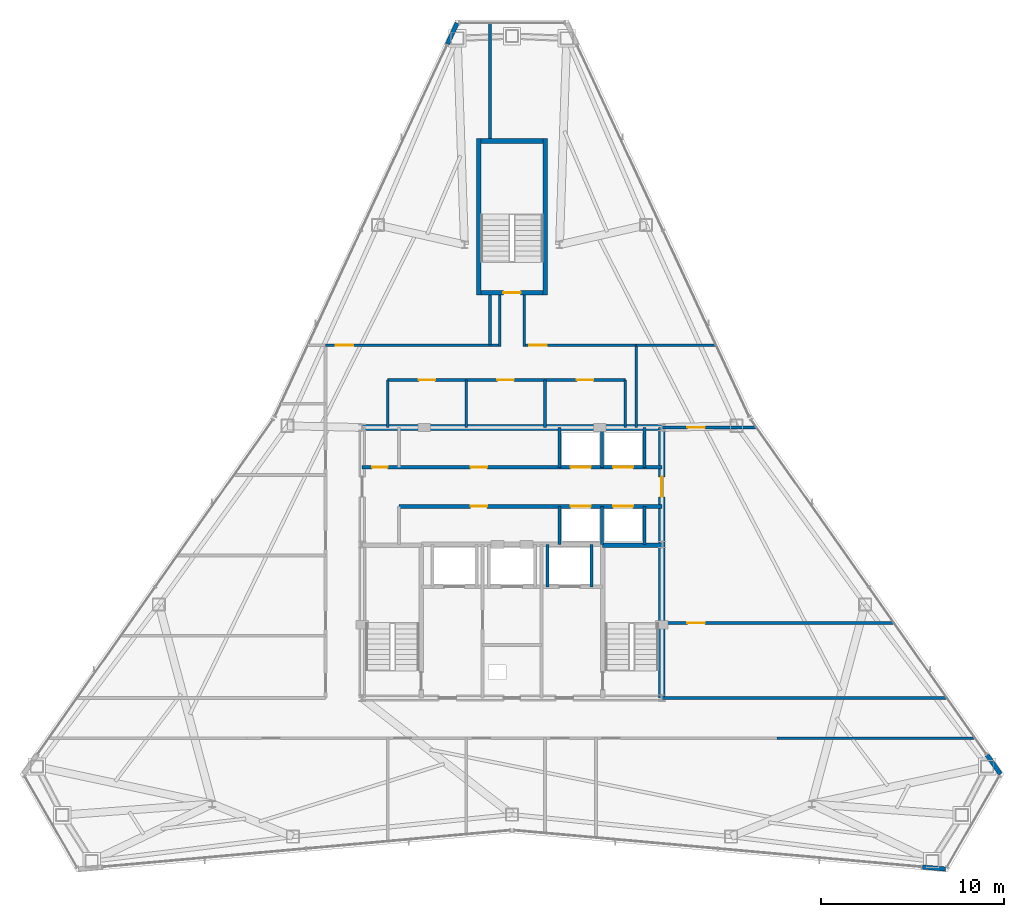
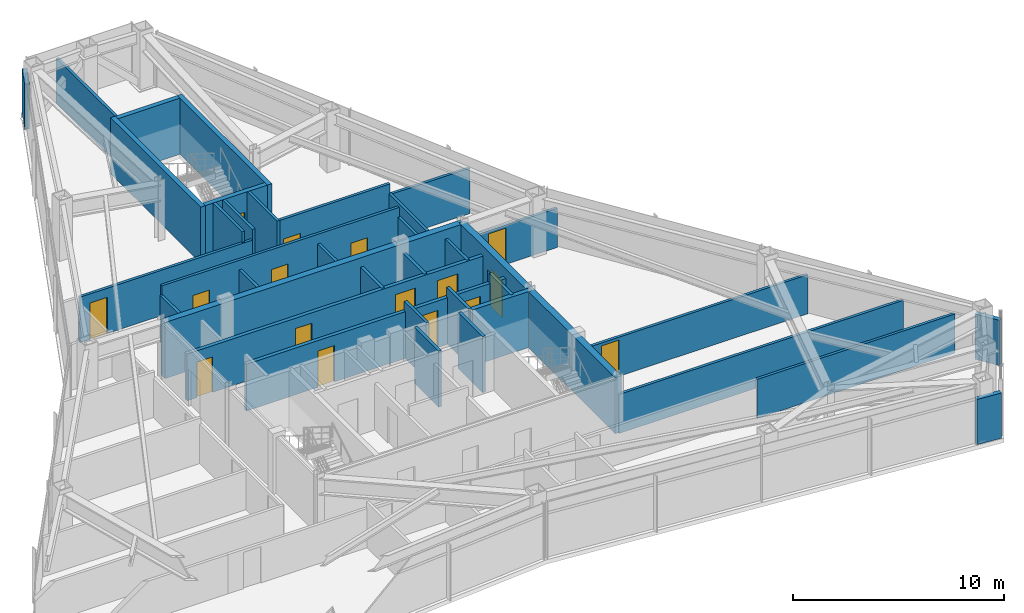
# One storey, part 10 of 12: 37 walls, 16 doors, 16 openings.
"""IFC4 building model written with IfcOpenShell, lengths in metres."""

from ifc_helpers import new_model, si_unit, direction, frame, frame_2d, origin, place, context, subcontext, project, spatial, rectangle, extrude, material, layer, layer_set, type_object, element, fill, save


model = new_model("IFC4")

# Units and contexts
model_context = context("Model", 3, precision=1e-05, world=origin(), true_north=direction((0.0, 1.0)))
body_context = subcontext(model_context, "Body", "Model", "MODEL_VIEW")
ifc_project = project(units=[si_unit("LENGTHUNIT", "METRE"), si_unit("AREAUNIT", "SQUARE_METRE"), si_unit("VOLUMEUNIT", "CUBIC_METRE"), si_unit("PLANEANGLEUNIT", "RADIAN"), si_unit("MASSUNIT", "GRAM", prefix="KILO")], contexts=[model_context])

# Site, building, storey
site_placement = place(None, origin())
site = spatial("IfcSite", under=ifc_project, at=site_placement, CompositionType="ELEMENT")
building_placement = place(site_placement, origin())
building = spatial("IfcBuilding", under=site, at=building_placement, Name="Varakhsha Concourse Tower", CompositionType="ELEMENT")
storey_placement = place(building_placement, frame((0.0, 0.0, 239.89990234375)))
storey = spatial("IfcBuildingStorey", under=building, at=storey_placement, Name="L68", CompositionType="ELEMENT", Elevation=239.89990234375)

# Wall
ifc_material_1 = material(Name="Concrete fc 65 MPa", Category="concrete")
ifc_layer_1 = layer(ifc_material_1, 0.35009765625, Name="WL-CORE-350")
ifc_layer_set_1 = layer_set([ifc_layer_1], Name="Concrete fc 65 MPa")
wall_type_1 = type_object("IfcWallType", Name="WL-CORE-350", PredefinedType="SHEAR", material=ifc_layer_set_1)
wall_1_placement = place(storey_placement, frame((31.800048828125, 31.199951171875, 0.0), z_axis=(0.0, 0.0, 1.0), x_axis=(1.0, 0.0, 0.0)))
element("IfcWall", 1, at=wall_1_placement, inside=storey, type_object=wall_type_1, Name="L68 Wall CWALL-N-L68", PredefinedType="SHEAR", context=body_context, shape_type="SweptSolid", body=[
    extrude(rectangle(XDim=16.39990234375, YDim=0.35009765625, at=frame_2d((8.199951171875, 0.0))), origin(), (0.0, 0.0, 1.0), 3.25),
])

# Wall, opening, door
wall_2_placement = place(storey_placement, frame((48.199951171875, 16.39990234375, 0.0), z_axis=(0.0, 0.0, 1.0), x_axis=(0.0, 1.0, 0.0)))
wall_2 = element("IfcWall", 2, at=wall_2_placement, inside=storey, type_object=wall_type_1, Name="L68 Wall CWALL-E-L68", PredefinedType="SHEAR", context=body_context, shape_type="SweptSolid", body=[
    extrude(rectangle(XDim=14.800048828125, YDim=0.35009765625, at=frame_2d((7.39990234375, 0.0))), origin(), (0.0, 0.0, 1.0), 3.25),
])
opening_1_placement = place(wall_2_placement, frame((11.0, 0.0, 0.0)))
opening_1 = element("IfcOpeningElement", 3, at=opening_1_placement, cuts=wall_2, Name="Opening DL-01", PredefinedType="OPENING", context=body_context, shape_type="SweptSolid", body=[
    extrude(rectangle(XDim=1.10009765625, YDim=2.14990234375, at=frame_2d((0.550048828125, 1.074951171875))), frame((0.0, 0.18505859375, 0.0), z_axis=(0.0, -1.0, 0.0), x_axis=(1.0, 0.0, 0.0)), (0.0, 0.0, 1.0), 0.3701171875),
])
ifc_material_2 = material(Name="Anodised Bronze Architectural Aluminium AA 6063-T6", Category="aluminium")
door_type_1 = type_object("IfcDoorType", Name="DR-LOB-1100", OperationType="NOTDEFINED", PredefinedType="DOOR", material=ifc_material_2)
door_1_placement = place(opening_1_placement, origin())
door_1 = element("IfcDoor", 4, at=door_1_placement, inside=storey, type_object=door_type_1, Name="L68 Lift Lobby East Concourse Door", OperationType="SINGLE_SWING_RIGHT", OverallHeight=2.14990234375, OverallWidth=1.10009765625, PredefinedType="DOOR", context=body_context, shape_type="SweptSolid", body=[
    extrude(rectangle(XDim=1.10009765625, YDim=2.14990234375, at=frame_2d((0.550048828125, 1.074951171875))), frame((0.0, 0.02490234375, 0.0), z_axis=(0.0, -1.0, 0.0), x_axis=(1.0, 0.0, 0.0)), (0.0, 0.0, 1.0), 0.050048828125),
])
fill(opening_1, door_1)

# Walls
ifc_material_3 = material(Name="Concrete fc 45 MPa", Category="concrete")
ifc_layer_2 = layer(ifc_material_3, 0.239990234375, Name="WL-EXT-CRN-240")
ifc_layer_set_2 = layer_set([ifc_layer_2], Name="Concrete fc 45 MPa")
wall_type_2 = type_object("IfcWallType", Name="WL-EXT-CRN-240", PredefinedType="SHEAR", material=ifc_layer_set_2)
wall_3_placement = place(storey_placement, frame((36.999267578125, 53.3310546875, 0.0), z_axis=(0.0, 0.0, 1.0), x_axis=(-0.420510858271, -0.907287505742, 0.0)))
element("IfcWall", 5, at=wall_3_placement, inside=storey, type_object=wall_type_2, Name="L68 Wind-Corner Shoulder Wall F2", PredefinedType="SHEAR", context=body_context, shape_type="SweptSolid", body=[
    extrude(rectangle(XDim=1.2783203125, YDim=0.239990234375, at=frame_2d((0.63916015625, 0.0))), origin(), (0.0, 0.0, 1.0), 2.623046875),
])
for number, where, z_axis, x_axis, name in (
    (6, (62.45458984375, 7.14990234375, 0.0), (0.0, 0.0, 1.0), (0.995998949865, -0.089364936453, 0.0), "L68 Wind-Corner Shoulder Wall F6"),
    (7, (66.728515625, 12.233154296875, 0.0), (0.0, 0.0, 1.0), (-0.575370412724, 0.817892956421, 0.0), "L68 Wind-Corner Shoulder Wall F8"),
):
    element("IfcWall", number, at=place(storey_placement, frame(where, z_axis=z_axis, x_axis=x_axis)), inside=storey, type_object=wall_type_2, Name=name, PredefinedType="SHEAR", context=body_context, shape_type="SweptSolid", body=[
        extrude(rectangle(XDim=1.278564453125, YDim=0.239990234375, at=frame_2d((0.63916015625, 0.0))), origin(), (0.0, 0.0, 1.0), 2.623046875),
    ])

# Wall, openings, doors
ifc_material_4 = material(Name="Fire-Rated Type X Gypsum Partition Assembly", Category="gypsum")
ifc_layer_3 = layer(ifc_material_4, 0.14990234375, Name="WL-PART-150")
ifc_layer_set_3 = layer_set([ifc_layer_3], Name="Fire-Rated Type X Gypsum Partition Assembly")
wall_type_3 = type_object("IfcWallType", Name="WL-PART-150", PredefinedType="PARTITIONING", material=ifc_layer_set_3)
wall_4_placement = place(storey_placement, frame((33.199951171875, 33.800048828125, 0.0), z_axis=(0.0, 0.0, 1.0), x_axis=(1.0, 0.0, 0.0)))
wall_4 = element("IfcWall", 8, at=wall_4_placement, inside=storey, type_object=wall_type_3, Name="L68 Wall NBOH-N-L68", PredefinedType="PARTITIONING", context=body_context, shape_type="SweptSolid", body=[
    extrude(rectangle(XDim=13.0, YDim=0.14990234375, at=frame_2d((6.5, 0.0))), origin(), (0.0, 0.0, 1.0), 3.25),
])
opening_2_placement = place(wall_4_placement, frame((1.699951171875, 0.0, 0.0)))
opening_2 = element("IfcOpeningElement", 9, at=opening_2_placement, cuts=wall_4, Name="Opening DF-06", PredefinedType="OPENING", context=body_context, shape_type="SweptSolid", body=[
    extrude(rectangle(XDim=0.89990234375, YDim=2.10009765625, at=frame_2d((0.449951171875, 1.050048828125))), frame((0.0, 0.0849609375, 0.0), z_axis=(0.0, -1.0, 0.0), x_axis=(1.0, 0.0, 0.0)), (0.0, 0.0, 1.0), 0.169921875),
])
opening_3_placement = place(wall_4_placement, frame((6.0, 0.0, 0.0)))
opening_3 = element("IfcOpeningElement", 10, at=opening_3_placement, cuts=wall_4, Name="Opening DF-06", PredefinedType="OPENING", context=body_context, shape_type="SweptSolid", body=[
    extrude(rectangle(XDim=0.89990234375, YDim=2.10009765625, at=frame_2d((0.449951171875, 1.050048828125))), frame((0.0, 0.0849609375, 0.0), z_axis=(0.0, -1.0, 0.0), x_axis=(1.0, 0.0, 0.0)), (0.0, 0.0, 1.0), 0.169921875),
])
opening_4_placement = place(wall_4_placement, frame((10.35009765625, 0.0, 0.0)))
opening_4 = element("IfcOpeningElement", 11, at=opening_4_placement, cuts=wall_4, Name="Opening DF-06", PredefinedType="OPENING", context=body_context, shape_type="SweptSolid", body=[
    extrude(rectangle(XDim=0.89990234375, YDim=2.10009765625, at=frame_2d((0.449951171875, 1.050048828125))), frame((0.0, 0.0849609375, 0.0), z_axis=(0.0, -1.0, 0.0), x_axis=(1.0, 0.0, 0.0)), (0.0, 0.0, 1.0), 0.169921875),
])
ifc_material_5 = material(Name="Hollow Galvanised Steel Fire Door Assembly", Category="steel")
door_type_2 = type_object("IfcDoorType", Name="DR-FD60-900", OperationType="NOTDEFINED", PredefinedType="DOOR", material=ifc_material_5)
door_2_placement = place(opening_2_placement, origin())
door_2 = element("IfcDoor", 12, at=door_2_placement, inside=storey, type_object=door_type_2, Name="L68 Men Restroom WC Door", OperationType="SINGLE_SWING_LEFT", OverallHeight=2.10009765625, OverallWidth=0.89990234375, PredefinedType="DOOR", context=body_context, shape_type="SweptSolid", body=[
    extrude(rectangle(XDim=0.89990234375, YDim=2.10009765625, at=frame_2d((0.449951171875, 1.050048828125))), frame((0.0, 0.02490234375, 0.0), z_axis=(0.0, -1.0, 0.0), x_axis=(1.0, 0.0, 0.0)), (0.0, 0.0, 1.0), 0.050048828125),
])
fill(opening_2, door_2)
door_3_placement = place(opening_3_placement, origin())
door_3 = element("IfcDoor", 13, at=door_3_placement, inside=storey, type_object=door_type_2, Name="L68 Women Restroom WC Door", OperationType="SINGLE_SWING_RIGHT", OverallHeight=2.10009765625, OverallWidth=0.89990234375, PredefinedType="DOOR", context=body_context, shape_type="SweptSolid", body=[
    extrude(rectangle(XDim=0.89990234375, YDim=2.10009765625, at=frame_2d((0.449951171875, 1.050048828125))), frame((0.0, 0.02490234375, 0.0), z_axis=(0.0, -1.0, 0.0), x_axis=(1.0, 0.0, 0.0)), (0.0, 0.0, 1.0), 0.050048828125),
])
fill(opening_3, door_3)
door_4_placement = place(opening_4_placement, origin())
door_4 = element("IfcDoor", 14, at=door_4_placement, inside=storey, type_object=door_type_2, Name="L68 Accessible WC Door", OperationType="SINGLE_SWING_LEFT", OverallHeight=2.10009765625, OverallWidth=0.89990234375, PredefinedType="DOOR", context=body_context, shape_type="SweptSolid", body=[
    extrude(rectangle(XDim=0.89990234375, YDim=2.10009765625, at=frame_2d((0.449951171875, 1.050048828125))), frame((0.0, 0.02490234375, 0.0), z_axis=(0.0, -1.0, 0.0), x_axis=(1.0, 0.0, 0.0)), (0.0, 0.0, 1.0), 0.050048828125),
])
fill(opening_4, door_4)

# Walls
for number, where, z_axis, x_axis, name in (
    (15, (33.199951171875, 31.199951171875, 0.0), (0.0, 0.0, 1.0), (0.0, 1.0, 0.0), "L68 Wall NBOH-W-L68"),
    (16, (46.199951171875, 31.199951171875, 0.0), (0.0, 0.0, 1.0), (0.0, 1.0, 0.0), "L68 Wall NBOH-E-L68"),
    (17, (37.5, 31.199951171875, 0.0), (0.0, 0.0, 1.0), (0.0, 1.0, 0.0), "L68 Wall NBOH-D1-L68"),
    (18, (41.800048828125, 31.199951171875, 0.0), (0.0, 0.0, 1.0), (0.0, 1.0, 0.0), "L68 Wall NBOH-D2-L68"),
):
    element("IfcWall", number, at=place(storey_placement, frame(where, z_axis=z_axis, x_axis=x_axis)), inside=storey, type_object=wall_type_3, Name=name, PredefinedType="PARTITIONING", context=body_context, shape_type="SweptSolid", body=[
        extrude(rectangle(XDim=2.60009765625, YDim=0.14990234375, at=frame_2d((1.300048828125, 0.0))), origin(), (0.0, 0.0, 1.0), 2.705078125),
    ])
wall_5_placement = place(storey_placement, frame((54.5, 14.199951171875, 0.0), z_axis=(0.0, 0.0, 1.0), x_axis=(1.0, 0.0, 0.0)))
element("IfcWall", 19, at=wall_5_placement, inside=storey, type_object=wall_type_3, Name="L68 Wall CRW-SGAL-SE-L68", PredefinedType="PARTITIONING", context=body_context, shape_type="SweptSolid", body=[
    extrude(rectangle(XDim=10.838623046875, YDim=0.14990234375, at=frame_2d((5.41943359375, 0.0))), origin(), (0.0, 0.0, 1.0), 2.26513671875),
])
wall_6_placement = place(storey_placement, frame((48.199951171875, 16.39990234375, 0.0), z_axis=(0.0, 0.0, 1.0), x_axis=(1.0, 0.0, 0.0)))
element("IfcWall", 20, at=wall_6_placement, inside=storey, type_object=wall_type_3, Name="L68 Wall CRW-SGAL-NE-L68", PredefinedType="PARTITIONING", context=body_context, shape_type="SweptSolid", body=[
    extrude(rectangle(XDim=15.590576171875, YDim=0.14990234375, at=frame_2d((7.79541015625, 0.0))), origin(), (0.0, 0.0, 1.0), 2.26513671875),
])

# Wall, opening, door
wall_7_placement = place(storey_placement, frame((29.800048828125, 35.699951171875, 0.0), z_axis=(0.0, 0.0, 1.0), x_axis=(1.0, 0.0, 0.0)))
wall_7 = element("IfcWall", 21, at=wall_7_placement, inside=storey, type_object=wall_type_3, Name="L68 Wall CRW-N-L68", PredefinedType="PARTITIONING", context=body_context, shape_type="SweptSolid", body=[
    extrude(rectangle(XDim=9.449951171875, YDim=0.14990234375, at=frame_2d((4.72509765625, 0.0))), origin(), (0.0, 0.0, 1.0), 2.628173828125),
])
opening_5_placement = place(wall_7_placement, frame((0.550048828125, 0.0, 0.0)))
opening_5 = element("IfcOpeningElement", 22, at=opening_5_placement, cuts=wall_7, Name="Opening DF-05", PredefinedType="OPENING", context=body_context, shape_type="SweptSolid", body=[
    extrude(rectangle(XDim=0.949951171875, YDim=2.10009765625, at=frame_2d((0.47509765625, 1.050048828125))), frame((0.0, 0.0849609375, 0.0), z_axis=(0.0, -1.0, 0.0), x_axis=(1.0, 0.0, 0.0)), (0.0, 0.0, 1.0), 0.169921875),
])
door_type_3 = type_object("IfcDoorType", Name="DR-FD60-950", OperationType="NOTDEFINED", PredefinedType="DOOR", material=ifc_material_5)
door_5_placement = place(opening_5_placement, origin())
door_5 = element("IfcDoor", 23, at=door_5_placement, inside=storey, type_object=door_type_3, Name="L68 Mountain View Deposition Conference Room L68-N1 Door", OperationType="SINGLE_SWING_LEFT", OverallHeight=2.10009765625, OverallWidth=0.949951171875, PredefinedType="DOOR", context=body_context, shape_type="SweptSolid", body=[
    extrude(rectangle(XDim=0.949951171875, YDim=2.10009765625, at=frame_2d((0.47509765625, 1.050048828125))), frame((0.0, 0.02490234375, 0.0), z_axis=(0.0, -1.0, 0.0), x_axis=(1.0, 0.0, 0.0)), (0.0, 0.0, 1.0), 0.050048828125),
])
fill(opening_5, door_5)

wall_8_placement = place(storey_placement, frame((40.75, 35.699951171875, 0.0), z_axis=(0.0, 0.0, 1.0), x_axis=(1.0, 0.0, 0.0)))
wall_8 = element("IfcWall", 24, at=wall_8_placement, inside=storey, type_object=wall_type_3, Name="L68 Wall CRW-N-L68-B", PredefinedType="PARTITIONING", context=body_context, shape_type="SweptSolid", body=[
    extrude(rectangle(XDim=6.050048828125, YDim=0.14990234375, at=frame_2d((3.02490234375, 0.0))), origin(), (0.0, 0.0, 1.0), 3.25),
])
opening_6_placement = place(wall_8_placement, frame((0.199951171875, 0.0, 0.0)))
opening_6 = element("IfcOpeningElement", 25, at=opening_6_placement, cuts=wall_8, Name="Opening DF-05", PredefinedType="OPENING", context=body_context, shape_type="SweptSolid", body=[
    extrude(rectangle(XDim=0.949951171875, YDim=2.10009765625, at=frame_2d((0.47509765625, 1.050048828125))), frame((0.0, 0.0849609375, 0.0), z_axis=(0.0, -1.0, 0.0), x_axis=(1.0, 0.0, 0.0)), (0.0, 0.0, 1.0), 0.169921875),
])
door_6_placement = place(opening_6_placement, origin())
door_6 = element("IfcDoor", 26, at=door_6_placement, inside=storey, type_object=door_type_3, Name="L68 North Senior Partner Chamber L68-N2 Door", OperationType="SINGLE_SWING_RIGHT", OverallHeight=2.10009765625, OverallWidth=0.949951171875, PredefinedType="DOOR", context=body_context, shape_type="SweptSolid", body=[
    extrude(rectangle(XDim=0.949951171875, YDim=2.10009765625, at=frame_2d((0.47509765625, 1.050048828125))), frame((0.0, 0.02490234375, 0.0), z_axis=(0.0, -1.0, 0.0), x_axis=(1.0, 0.0, 0.0)), (0.0, 0.0, 1.0), 0.050048828125),
])
fill(opening_6, door_6)

# Walls
wall_9_placement = place(storey_placement, frame((46.800048828125, 31.199951171875, 0.0), z_axis=(0.0, 0.0, 1.0), x_axis=(0.0, 1.0, 0.0)))
element("IfcWall", 27, at=wall_9_placement, inside=storey, type_object=wall_type_3, Name="L68 Wall CRW-NE-L68", PredefinedType="PARTITIONING", context=body_context, shape_type="SweptSolid", body=[
    extrude(rectangle(XDim=4.5, YDim=0.14990234375, at=frame_2d((2.25, 0.0))), origin(), (0.0, 0.0, 1.0), 2.705078125),
])
wall_10_placement = place(storey_placement, frame((46.800048828125, 35.699951171875, 0.0), z_axis=(0.0, 0.0, 1.0), x_axis=(1.0, 0.0, 0.0)))
element("IfcWall", 28, at=wall_10_placement, inside=storey, type_object=wall_type_3, Name="L68 Wall ODIV-EBN-L68", PredefinedType="PARTITIONING", context=body_context, shape_type="SweptSolid", body=[
    extrude(rectangle(XDim=4.36767578125, YDim=0.14990234375, at=frame_2d((2.183837890625, 0.0))), origin(), (0.0, 0.0, 1.0), 2.628173828125),
])

# Wall, opening, door
wall_11_placement = place(storey_placement, frame((48.199951171875, 20.5, 0.0), z_axis=(0.0, 0.0, 1.0), x_axis=(1.0, 0.0, 0.0)))
wall_11 = element("IfcWall", 29, at=wall_11_placement, inside=storey, type_object=wall_type_3, Name="L68 Wall ODIV-E1-L68", PredefinedType="PARTITIONING", context=body_context, shape_type="SweptSolid", body=[
    extrude(rectangle(XDim=12.705810546875, YDim=0.14990234375, at=frame_2d((6.35302734375, 0.0))), origin(), (0.0, 0.0, 1.0), 2.26513671875),
])
opening_7_placement = place(wall_11_placement, frame((1.39990234375, 0.0, 0.0)))
opening_7 = element("IfcOpeningElement", 30, at=opening_7_placement, cuts=wall_11, Name="Opening DF-05", PredefinedType="OPENING", context=body_context, shape_type="SweptSolid", body=[
    extrude(rectangle(XDim=0.949951171875, YDim=2.10009765625, at=frame_2d((0.47509765625, 1.050048828125))), frame((0.0, 0.0849609375, 0.0), z_axis=(0.0, -1.0, 0.0), x_axis=(1.0, 0.0, 0.0)), (0.0, 0.0, 1.0), 0.169921875),
])
door_7_placement = place(opening_7_placement, origin())
door_7 = element("IfcDoor", 31, at=door_7_placement, inside=storey, type_object=door_type_3, Name="L68 East Suite Interconnect Door 1", OperationType="SINGLE_SWING_LEFT", OverallHeight=2.10009765625, OverallWidth=0.949951171875, PredefinedType="DOOR", context=body_context, shape_type="SweptSolid", body=[
    extrude(rectangle(XDim=0.949951171875, YDim=2.10009765625, at=frame_2d((0.47509765625, 1.050048828125))), frame((0.0, 0.02490234375, 0.0), z_axis=(0.0, -1.0, 0.0), x_axis=(1.0, 0.0, 0.0)), (0.0, 0.0, 1.0), 0.050048828125),
])
fill(opening_7, door_7)

wall_12_placement = place(storey_placement, frame((48.199951171875, 31.199951171875, 0.0), z_axis=(0.0, 0.0, 1.0), x_axis=(1.0, 0.0, 0.0)))
wall_12 = element("IfcWall", 32, at=wall_12_placement, inside=storey, type_object=wall_type_3, Name="L68 Wall ODIV-E2-L68", PredefinedType="PARTITIONING", context=body_context, shape_type="SweptSolid", body=[
    extrude(rectangle(XDim=5.17724609375, YDim=0.14990234375, at=frame_2d((2.588623046875, 0.0))), origin(), (0.0, 0.0, 1.0), 2.26513671875),
])
opening_8_placement = place(wall_12_placement, frame((1.39990234375, 0.0, 0.0)))
opening_8 = element("IfcOpeningElement", 33, at=opening_8_placement, cuts=wall_12, Name="Opening DF-05", PredefinedType="OPENING", context=body_context, shape_type="SweptSolid", body=[
    extrude(rectangle(XDim=0.949951171875, YDim=2.10009765625, at=frame_2d((0.47509765625, 1.050048828125))), frame((0.0, 0.0849609375, 0.0), z_axis=(0.0, -1.0, 0.0), x_axis=(1.0, 0.0, 0.0)), (0.0, 0.0, 1.0), 0.169921875),
])
door_8_placement = place(opening_8_placement, origin())
door_8 = element("IfcDoor", 34, at=door_8_placement, inside=storey, type_object=door_type_3, Name="L68 East Suite Interconnect Door 2", OperationType="SINGLE_SWING_RIGHT", OverallHeight=2.10009765625, OverallWidth=0.949951171875, PredefinedType="DOOR", context=body_context, shape_type="SweptSolid", body=[
    extrude(rectangle(XDim=0.949951171875, YDim=2.10009765625, at=frame_2d((0.47509765625, 1.050048828125))), frame((0.0, 0.02490234375, 0.0), z_axis=(0.0, -1.0, 0.0), x_axis=(1.0, 0.0, 0.0)), (0.0, 0.0, 1.0), 0.050048828125),
])
fill(opening_8, door_8)

# Walls
wall_13_placement = place(storey_placement, frame((38.800048828125, 35.699951171875, 0.0), z_axis=(0.0, 0.0, 1.0), x_axis=(0.0, 1.0, 0.0)))
element("IfcWall", 35, at=wall_13_placement, inside=storey, type_object=wall_type_3, Name="L68 Wall ODIV-N1-L68", PredefinedType="PARTITIONING", context=body_context, shape_type="SweptSolid", body=[
    extrude(rectangle(XDim=2.75, YDim=0.14990234375, at=frame_2d((1.375, 0.0))), origin(), (0.0, 0.0, 1.0), 3.25),
])
wall_14_placement = place(storey_placement, frame((38.800048828125, 47.0, 0.0), z_axis=(0.0, 0.0, 1.0), x_axis=(0.0, 1.0, 0.0)))
element("IfcWall", 36, at=wall_14_placement, inside=storey, type_object=wall_type_3, Name="L68 Wall ODIV-N1-L68-B", PredefinedType="PARTITIONING", context=body_context, shape_type="SweptSolid", body=[
    extrude(rectangle(XDim=6.332275390625, YDim=0.14990234375, at=frame_2d((3.166015625, 0.0))), origin(), (0.0, 0.0, 1.0), 2.628173828125),
])
for number, where, z_axis, x_axis, name in (
    (37, (39.324951171875, 35.625, 0.0), (0.0, 0.0, 1.0), (0.0, 1.0, 0.0), "L68 Wall STUB-W-L68"),
    (38, (40.675048828125, 35.625, 0.0), (0.0, 0.0, 1.0), (0.0, 1.0, 0.0), "L68 Wall STUB-E-L68"),
):
    element("IfcWall", number, at=place(storey_placement, frame(where, z_axis=z_axis, x_axis=x_axis)), inside=storey, type_object=wall_type_3, Name=name, PredefinedType="PARTITIONING", context=body_context, shape_type="SweptSolid", body=[
        extrude(rectangle(XDim=2.824951171875, YDim=0.14990234375, at=frame_2d((1.41259765625, 0.0))), origin(), (0.0, 0.0, 1.0), 3.25),
    ])
ifc_layer_4 = layer(ifc_material_4, 0.199951171875, Name="WL-SHAFT-220")
ifc_layer_set_4 = layer_set([ifc_layer_4], Name="Fire-Rated Type X Gypsum Partition Assembly")
wall_type_4 = type_object("IfcWallType", Name="WL-SHAFT-220", PredefinedType="SOLIDWALL", material=ifc_layer_set_4)
for number, where, z_axis, x_axis, name in (
    (39, (41.949951171875, 22.47998046875, 0.0), (0.0, 0.0, 1.0), (0.0, 1.0, 0.0), "L68 Wall SHW-FFL-2-W-L68"),
    (40, (44.35009765625, 22.47998046875, 0.0), (0.0, 0.0, 1.0), (0.0, 1.0, 0.0), "L68 Wall SHW-FFL-2-E-L68"),
):
    element("IfcWall", number, at=place(storey_placement, frame(where, z_axis=z_axis, x_axis=x_axis)), inside=storey, type_object=wall_type_4, Name=name, PredefinedType="SOLIDWALL", context=body_context, shape_type="SweptSolid", body=[
        extrude(rectangle(XDim=2.320068359375, YDim=0.159912109375, at=frame_2d((1.16015625, 0.0))), origin(), (0.0, 0.0, 1.0), 3.25),
    ])

# Wall, openings, doors
wall_15_placement = place(storey_placement, frame((31.800048828125, 29.02001953125, 0.0), z_axis=(0.0, 0.0, 1.0), x_axis=(1.0, 0.0, 0.0)))
wall_15 = element("IfcWall", 41, at=wall_15_placement, inside=storey, type_object=wall_type_4, Name="L68 Wall PLW-N-L68", PredefinedType="SOLIDWALL", context=body_context, shape_type="SweptSolid", body=[
    extrude(rectangle(XDim=16.39990234375, YDim=0.199951171875, at=frame_2d((8.199951171875, 0.0))), origin(), (0.0, 0.0, 1.0), 2.705078125),
])
opening_9_placement = place(wall_15_placement, frame((0.550048828125, 0.0, 0.0)))
opening_9 = element("IfcOpeningElement", 42, at=opening_9_placement, cuts=wall_15, Name="Opening DF-07", PredefinedType="OPENING", context=body_context, shape_type="SweptSolid", body=[
    extrude(rectangle(XDim=0.85009765625, YDim=2.050048828125, at=frame_2d((0.425048828125, 1.02490234375))), frame((0.0, 0.10986328125, 0.0), z_axis=(0.0, -1.0, 0.0), x_axis=(1.0, 0.0, 0.0)), (0.0, 0.0, 1.0), 0.219970703125),
])
opening_10_placement = place(wall_15_placement, frame((5.93994140625, 0.0, 0.0)))
opening_10 = element("IfcOpeningElement", 43, at=opening_10_placement, cuts=wall_15, Name="Opening DF-06", PredefinedType="OPENING", context=body_context, shape_type="SweptSolid", body=[
    extrude(rectangle(XDim=0.89990234375, YDim=2.10009765625, at=frame_2d((0.449951171875, 1.050048828125))), frame((0.0, 0.10986328125, 0.0), z_axis=(0.0, -1.0, 0.0), x_axis=(1.0, 0.0, 0.0)), (0.0, 0.0, 1.0), 0.219970703125),
])
opening_11_placement = place(wall_15_placement, frame((11.409912109375, 0.0, 0.0)))
opening_11 = element("IfcOpeningElement", 44, at=opening_11_placement, cuts=wall_15, Name="Opening LD-LF-P09", PredefinedType="OPENING", context=body_context, shape_type="SweptSolid", body=[
    extrude(rectangle(XDim=1.10009765625, YDim=2.14990234375, at=frame_2d((0.550048828125, 1.074951171875))), frame((0.0, 0.10986328125, 0.0), z_axis=(0.0, -1.0, 0.0), x_axis=(1.0, 0.0, 0.0)), (0.0, 0.0, 1.0), 0.219970703125),
])
opening_12_placement = place(wall_15_placement, frame((13.72998046875, 0.0, 0.0)))
opening_12 = element("IfcOpeningElement", 45, at=opening_12_placement, cuts=wall_15, Name="Opening LD-LF-P10", PredefinedType="OPENING", context=body_context, shape_type="SweptSolid", body=[
    extrude(rectangle(XDim=1.10009765625, YDim=2.14990234375, at=frame_2d((0.550048828125, 1.074951171875))), frame((0.0, 0.10986328125, 0.0), z_axis=(0.0, -1.0, 0.0), x_axis=(1.0, 0.0, 0.0)), (0.0, 0.0, 1.0), 0.219970703125),
])
door_type_4 = type_object("IfcDoorType", Name="DR-FD60-850", OperationType="NOTDEFINED", PredefinedType="DOOR", material=ifc_material_5)
door_9_placement = place(opening_9_placement, origin())
door_9 = element("IfcDoor", 46, at=door_9_placement, inside=storey, type_object=door_type_4, Name="L68 Core Janitor Closet Door", OperationType="SINGLE_SWING_LEFT", OverallHeight=2.050048828125, OverallWidth=0.85009765625, PredefinedType="DOOR", context=body_context, shape_type="SweptSolid", body=[
    extrude(rectangle(XDim=0.85009765625, YDim=2.050048828125, at=frame_2d((0.425048828125, 1.02490234375))), frame((0.0, 0.02490234375, 0.0), z_axis=(0.0, -1.0, 0.0), x_axis=(1.0, 0.0, 0.0)), (0.0, 0.0, 1.0), 0.050048828125),
])
fill(opening_9, door_9)
door_10_placement = place(opening_10_placement, origin())
door_10 = element("IfcDoor", 47, at=door_10_placement, inside=storey, type_object=door_type_2, Name="L68 Tenant Archive and IT Server Room Door", OperationType="SINGLE_SWING_LEFT", OverallHeight=2.10009765625, OverallWidth=0.89990234375, PredefinedType="DOOR", context=body_context, shape_type="SweptSolid", body=[
    extrude(rectangle(XDim=0.89990234375, YDim=2.10009765625, at=frame_2d((0.449951171875, 1.050048828125))), frame((0.0, 0.02490234375, 0.0), z_axis=(0.0, -1.0, 0.0), x_axis=(1.0, 0.0, 0.0)), (0.0, 0.0, 1.0), 0.050048828125),
])
fill(opening_10, door_10)
ifc_material_6 = material(Name="Brushed Austenitic Stainless Steel AISI 316", Category="steel")
door_type_5 = type_object("IfcDoorType", Name="DR-LD-1100", OperationType="DOUBLE_DOOR_SLIDING", PredefinedType="DOOR", material=ifc_material_6)
door_11_placement = place(opening_11_placement, origin())
door_11 = element("IfcDoor", 48, at=door_11_placement, inside=storey, type_object=door_type_5, Name="Lift Landing Door LF-P09 L68", OperationType="DOUBLE_DOOR_SLIDING", OverallHeight=2.14990234375, OverallWidth=1.10009765625, PredefinedType="DOOR", context=body_context, shape_type="SweptSolid", body=[
    extrude(rectangle(XDim=1.10009765625, YDim=2.14990234375, at=frame_2d((0.550048828125, 1.074951171875))), frame((0.0, 0.02490234375, 0.0), z_axis=(0.0, -1.0, 0.0), x_axis=(1.0, 0.0, 0.0)), (0.0, 0.0, 1.0), 0.050048828125),
])
fill(opening_11, door_11)
door_12_placement = place(opening_12_placement, origin())
door_12 = element("IfcDoor", 49, at=door_12_placement, inside=storey, type_object=door_type_5, Name="Lift Landing Door LF-P10 L68", OperationType="DOUBLE_DOOR_SLIDING", OverallHeight=2.14990234375, OverallWidth=1.10009765625, PredefinedType="DOOR", context=body_context, shape_type="SweptSolid", body=[
    extrude(rectangle(XDim=1.10009765625, YDim=2.14990234375, at=frame_2d((0.550048828125, 1.074951171875))), frame((0.0, 0.02490234375, 0.0), z_axis=(0.0, -1.0, 0.0), x_axis=(1.0, 0.0, 0.0)), (0.0, 0.0, 1.0), 0.050048828125),
])
fill(opening_12, door_12)

wall_16_placement = place(storey_placement, frame((33.820068359375, 26.8798828125, 0.0), z_axis=(0.0, 0.0, 1.0), x_axis=(1.0, 0.0, 0.0)))
wall_16 = element("IfcWall", 50, at=wall_16_placement, inside=storey, type_object=wall_type_4, Name="L68 Wall PLW-S-L68", PredefinedType="SOLIDWALL", context=body_context, shape_type="SweptSolid", body=[
    extrude(rectangle(XDim=14.3798828125, YDim=0.199951171875, at=frame_2d((7.18994140625, 0.0))), origin(), (0.0, 0.0, 1.0), 2.705078125),
])
opening_13_placement = place(wall_16_placement, frame((3.919921875, 0.0, 0.0)))
opening_13 = element("IfcOpeningElement", 51, at=opening_13_placement, cuts=wall_16, Name="Opening DF-06", PredefinedType="OPENING", context=body_context, shape_type="SweptSolid", body=[
    extrude(rectangle(XDim=0.89990234375, YDim=2.10009765625, at=frame_2d((0.449951171875, 1.050048828125))), frame((0.0, 0.10986328125, 0.0), z_axis=(0.0, -1.0, 0.0), x_axis=(1.0, 0.0, 0.0)), (0.0, 0.0, 1.0), 0.219970703125),
])
opening_14_placement = place(wall_16_placement, frame((9.389892578125, 0.0, 0.0)))
opening_14 = element("IfcOpeningElement", 52, at=opening_14_placement, cuts=wall_16, Name="Opening LD-LF-P11", PredefinedType="OPENING", context=body_context, shape_type="SweptSolid", body=[
    extrude(rectangle(XDim=1.10009765625, YDim=2.14990234375, at=frame_2d((0.550048828125, 1.074951171875))), frame((0.0, 0.10986328125, 0.0), z_axis=(0.0, -1.0, 0.0), x_axis=(1.0, 0.0, 0.0)), (0.0, 0.0, 1.0), 0.219970703125),
])
opening_15_placement = place(wall_16_placement, frame((11.7099609375, 0.0, 0.0)))
opening_15 = element("IfcOpeningElement", 53, at=opening_15_placement, cuts=wall_16, Name="Opening LD-LF-P12", PredefinedType="OPENING", context=body_context, shape_type="SweptSolid", body=[
    extrude(rectangle(XDim=1.10009765625, YDim=2.14990234375, at=frame_2d((0.550048828125, 1.074951171875))), frame((0.0, 0.10986328125, 0.0), z_axis=(0.0, -1.0, 0.0), x_axis=(1.0, 0.0, 0.0)), (0.0, 0.0, 1.0), 0.219970703125),
])
door_13_placement = place(opening_13_placement, origin())
door_13 = element("IfcDoor", 54, at=door_13_placement, inside=storey, type_object=door_type_2, Name="L68 Executive Pantry and Copy Suite Door", OperationType="SINGLE_SWING_RIGHT", OverallHeight=2.10009765625, OverallWidth=0.89990234375, PredefinedType="DOOR", context=body_context, shape_type="SweptSolid", body=[
    extrude(rectangle(XDim=0.89990234375, YDim=2.10009765625, at=frame_2d((0.449951171875, 1.050048828125))), frame((0.0, 0.02490234375, 0.0), z_axis=(0.0, -1.0, 0.0), x_axis=(1.0, 0.0, 0.0)), (0.0, 0.0, 1.0), 0.050048828125),
])
fill(opening_13, door_13)
door_14_placement = place(opening_14_placement, origin())
door_14 = element("IfcDoor", 55, at=door_14_placement, inside=storey, type_object=door_type_5, Name="Lift Landing Door LF-P11 L68", OperationType="DOUBLE_DOOR_SLIDING", OverallHeight=2.14990234375, OverallWidth=1.10009765625, PredefinedType="DOOR", context=body_context, shape_type="SweptSolid", body=[
    extrude(rectangle(XDim=1.10009765625, YDim=2.14990234375, at=frame_2d((0.550048828125, 1.074951171875))), frame((0.0, 0.02490234375, 0.0), z_axis=(0.0, -1.0, 0.0), x_axis=(1.0, 0.0, 0.0)), (0.0, 0.0, 1.0), 0.050048828125),
])
fill(opening_14, door_14)
door_15_placement = place(opening_15_placement, origin())
door_15 = element("IfcDoor", 56, at=door_15_placement, inside=storey, type_object=door_type_5, Name="Lift Landing Door LF-P12 L68", OperationType="DOUBLE_DOOR_SLIDING", OverallHeight=2.14990234375, OverallWidth=1.10009765625, PredefinedType="DOOR", context=body_context, shape_type="SweptSolid", body=[
    extrude(rectangle(XDim=1.10009765625, YDim=2.14990234375, at=frame_2d((0.550048828125, 1.074951171875))), frame((0.0, 0.02490234375, 0.0), z_axis=(0.0, -1.0, 0.0), x_axis=(1.0, 0.0, 0.0)), (0.0, 0.0, 1.0), 0.050048828125),
])
fill(opening_15, door_15)

# Walls
for number, where, z_axis, x_axis, name in (
    (57, (42.60009765625, 29.02001953125, 0.0), (0.0, 0.0, 1.0), (0.0, 1.0, 0.0), "L68 Wall SHW-LF-P09-W-L68"),
    (58, (44.919921875, 29.02001953125, 0.0), (0.0, 0.0, 1.0), (0.0, 1.0, 0.0), "L68 Wall SHW-LF-P09-E-L68"),
    (59, (47.239990234375, 29.02001953125, 0.0), (0.0, 0.0, 1.0), (0.0, 1.0, 0.0), "L68 Wall SHW-LF-P10-E-L68"),
):
    element("IfcWall", number, at=place(storey_placement, frame(where, z_axis=z_axis, x_axis=x_axis)), inside=storey, type_object=wall_type_4, Name=name, PredefinedType="SOLIDWALL", context=body_context, shape_type="SweptSolid", body=[
        extrude(rectangle(XDim=2.179931640625, YDim=0.159912109375, at=frame_2d((1.08984375, 0.0))), origin(), (0.0, 0.0, 1.0), 2.705078125),
    ])
for number, where, z_axis, x_axis, name in (
    (60, (42.60009765625, 24.800048828125, 0.0), (0.0, 0.0, 1.0), (0.0, 1.0, 0.0), "L68 Wall SHW-LF-P11-W-L68"),
    (61, (44.919921875, 24.800048828125, 0.0), (0.0, 0.0, 1.0), (0.0, 1.0, 0.0), "L68 Wall SHW-LF-P11-E-L68"),
    (62, (47.239990234375, 24.800048828125, 0.0), (0.0, 0.0, 1.0), (0.0, 1.0, 0.0), "L68 Wall SHW-LF-P12-E-L68"),
):
    element("IfcWall", number, at=place(storey_placement, frame(where, z_axis=z_axis, x_axis=x_axis)), inside=storey, type_object=wall_type_4, Name=name, PredefinedType="SOLIDWALL", context=body_context, shape_type="SweptSolid", body=[
        extrude(rectangle(XDim=2.079833984375, YDim=0.159912109375, at=frame_2d((1.0400390625, 0.0))), origin(), (0.0, 0.0, 1.0), 3.25),
    ])
ifc_layer_5 = layer(ifc_material_3, 0.25, Name="WL-STAIR-250")
ifc_layer_set_5 = layer_set([ifc_layer_5], Name="Concrete fc 45 MPa")
wall_type_5 = type_object("IfcWallType", Name="WL-STAIR-250", PredefinedType="SHEAR", material=ifc_layer_set_5)
wall_17_placement = place(storey_placement, frame((44.955078125, 24.7548828125, 0.0), z_axis=(0.0, 0.0, 1.0), x_axis=(1.0, 0.0, 0.0)))
element("IfcWall", 63, at=wall_17_placement, inside=storey, type_object=wall_type_5, Name="L68 Wall SWALL-ST2-N-L68", PredefinedType="SHEAR", context=body_context, shape_type="SweptSolid", body=[
    extrude(rectangle(XDim=3.244873046875, YDim=0.25, at=frame_2d((1.62255859375, 0.0))), origin(), (0.0, 0.0, 1.0), 3.25),
])
for number, where, z_axis, x_axis, name in (
    (64, (38.175048828125, 38.449951171875, 0.0), (0.0, 0.0, 1.0), (0.0, 1.0, 0.0), "L68 Wall SWALL-ST5-W-L68"),
    (65, (41.824951171875, 38.449951171875, 0.0), (0.0, 0.0, 1.0), (0.0, 1.0, 0.0), "L68 Wall SWALL-ST5-E-L68"),
):
    element("IfcWall", number, at=place(storey_placement, frame(where, z_axis=z_axis, x_axis=x_axis)), inside=storey, type_object=wall_type_5, Name=name, PredefinedType="SHEAR", context=body_context, shape_type="SweptSolid", body=[
        extrude(rectangle(XDim=8.550048828125, YDim=0.25, at=frame_2d((4.27490234375, 0.0))), origin(), (0.0, 0.0, 1.0), 3.25),
    ])

# Wall, opening, door
wall_18_placement = place(storey_placement, frame((38.300048828125, 38.574951171875, 0.0), z_axis=(0.0, 0.0, 1.0), x_axis=(1.0, 0.0, 0.0)))
wall_18 = element("IfcWall", 66, at=wall_18_placement, inside=storey, type_object=wall_type_5, Name="L68 Wall SWALL-ST5-S-L68", PredefinedType="SHEAR", context=body_context, shape_type="SweptSolid", body=[
    extrude(rectangle(XDim=3.39990234375, YDim=0.25, at=frame_2d((1.699951171875, 0.0))), origin(), (0.0, 0.0, 1.0), 3.25),
])
opening_16_placement = place(wall_18_placement, frame((1.22509765625, 0.0, 0.0)))
opening_16 = element("IfcOpeningElement", 67, at=opening_16_placement, cuts=wall_18, Name="Opening DF-03", PredefinedType="OPENING", context=body_context, shape_type="SweptSolid", body=[
    extrude(rectangle(XDim=0.949951171875, YDim=2.10009765625, at=frame_2d((0.47509765625, 1.050048828125))), frame((0.0, 0.135009765625, 0.0), z_axis=(0.0, -1.0, 0.0), x_axis=(1.0, 0.0, 0.0)), (0.0, 0.0, 1.0), 0.27001953125),
])
door_type_6 = type_object("IfcDoorType", Name="DR-FD90-950", OperationType="NOTDEFINED", PredefinedType="DOOR", material=ifc_material_5)
door_16_placement = place(opening_16_placement, origin())
door_16 = element("IfcDoor", 68, at=door_16_placement, inside=storey, type_object=door_type_6, Name="L68 Stair ST5 Fire Door", OperationType="SINGLE_SWING_RIGHT", OverallHeight=2.10009765625, OverallWidth=0.949951171875, PredefinedType="DOOR", context=body_context, shape_type="SweptSolid", body=[
    extrude(rectangle(XDim=0.949951171875, YDim=2.10009765625, at=frame_2d((0.47509765625, 1.050048828125))), frame((0.0, 0.02490234375, 0.0), z_axis=(0.0, -1.0, 0.0), x_axis=(1.0, 0.0, 0.0)), (0.0, 0.0, 1.0), 0.050048828125),
])
fill(opening_16, door_16)

# Wall
wall_19_placement = place(storey_placement, frame((38.300048828125, 46.875, 0.0), z_axis=(0.0, 0.0, 1.0), x_axis=(1.0, 0.0, 0.0)))
element("IfcWall", 69, at=wall_19_placement, inside=storey, type_object=wall_type_5, Name="L68 Wall SWALL-ST5-N-L68", PredefinedType="SHEAR", context=body_context, shape_type="SweptSolid", body=[
    extrude(rectangle(XDim=3.39990234375, YDim=0.25, at=frame_2d((1.699951171875, 0.0))), origin(), (0.0, 0.0, 1.0), 3.25),
])

save(model, "model.ifc")
